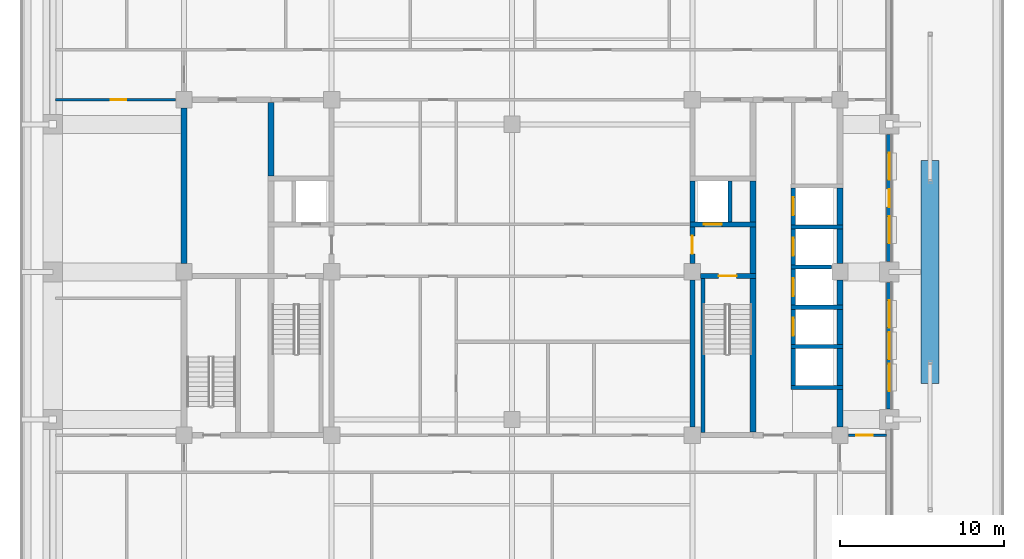
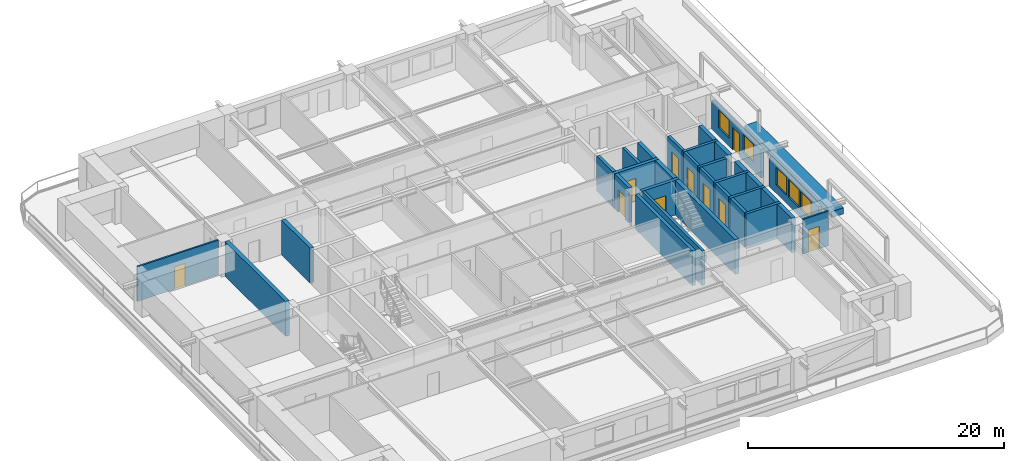
# One storey, part 7 of 17: 33 walls, 10 doors, 5 windows, 15 openings.
"""IFC4 building model written with IfcOpenShell, lengths in metres."""

from ifc_helpers import new_model, si_unit, direction, frame, frame_2d, origin, place, context, subcontext, project, spatial, rectangle, extrude, material, layer, layer_set, type_object, element, fill, save


model = new_model("IFC4")

# Units and contexts
model_context = context("Model", 3, precision=1e-05, world=origin(), true_north=direction((0.0, 1.0)))
body_context = subcontext(model_context, "Body", "Model", "MODEL_VIEW")
ifc_project = project(units=[si_unit("LENGTHUNIT", "METRE"), si_unit("AREAUNIT", "SQUARE_METRE"), si_unit("VOLUMEUNIT", "CUBIC_METRE"), si_unit("PLANEANGLEUNIT", "RADIAN"), si_unit("MASSUNIT", "GRAM", prefix="KILO")], contexts=[model_context])

# Site, building, storey
site_placement = place(None, origin())
site = spatial("IfcSite", under=ifc_project, at=site_placement, CompositionType="ELEMENT")
building_placement = place(site_placement, origin())
building = spatial("IfcBuilding", under=site, at=building_placement, Name="Zulmaris Gate Convention Tower", CompositionType="ELEMENT")
storey_placement = place(building_placement, frame((0.0, 0.0, 121.349853515625)))
storey = spatial("IfcBuildingStorey", under=building, at=storey_placement, Name="L30", CompositionType="ELEMENT", Elevation=121.349853515625)

# Walls
ifc_material_1 = material(Name="Concrete C50/60", Category="concrete")
ifc_layer_1 = layer(ifc_material_1, 0.25, Name="Concrete C50/60")
ifc_layer_set_1 = layer_set([ifc_layer_1], Name="Concrete C50/60")
wall_type_1 = type_object("IfcWallType", Name="CORE-250", PredefinedType="SOLIDWALL", material=ifc_layer_set_1)
for number, where, z_axis, x_axis, name in (
    (1, (17.02490234375, -7.050048828125, 0.0), (0.0, 0.0, 1.0), (1.0, 0.0, 0.0), "WL-L30-005"),
    (2, (17.02490234375, -4.550048828125, 0.0), (0.0, 0.0, 1.0), (1.0, 0.0, 0.0), "WL-L30-006"),
    (3, (17.02490234375, -2.14990234375, 0.0), (0.0, 0.0, 1.0), (1.0, 0.0, 0.0), "WL-L30-007"),
):
    element("IfcWall", number, at=place(storey_placement, frame(where, z_axis=z_axis, x_axis=x_axis)), inside=storey, type_object=wall_type_1, Name=name, PredefinedType="SOLIDWALL", context=body_context, shape_type="SweptSolid", body=[
        extrude(rectangle(XDim=3.150146484375, YDim=0.25, at=frame_2d((1.5751953125, 0.0))), origin(), (0.0, 0.0, 1.0), 3.320068359375),
    ])
wall_1_placement = place(storey_placement, frame((17.02490234375, 0.300048828125, 0.0), z_axis=(0.0, 0.0, 1.0), x_axis=(1.0, 0.0, 0.0)))
element("IfcWall", 4, at=wall_1_placement, inside=storey, type_object=wall_type_1, Name="WL-L30-010", PredefinedType="SOLIDWALL", context=body_context, shape_type="SweptSolid", body=[
    extrude(rectangle(XDim=2.47119140625, YDim=0.25, at=frame_2d((1.235595703125, 0.0))), origin(), (0.0, 0.0, 1.0), 3.320068359375),
])
wall_2_placement = place(storey_placement, frame((17.02490234375, 2.75, 0.0), z_axis=(0.0, 0.0, 1.0), x_axis=(1.0, 0.0, 0.0)))
element("IfcWall", 5, at=wall_2_placement, inside=storey, type_object=wall_type_1, Name="WL-L30-011", PredefinedType="SOLIDWALL", context=body_context, shape_type="SweptSolid", body=[
    extrude(rectangle(XDim=3.150146484375, YDim=0.25, at=frame_2d((1.5751953125, 0.0))), origin(), (0.0, 0.0, 1.0), 3.320068359375),
])
wall_3_placement = place(storey_placement, frame((11.64990234375, -9.798095703125, 0.0), z_axis=(0.0, 0.0, 1.0), x_axis=(0.0, 1.0, 0.0)))
element("IfcWall", 6, at=wall_3_placement, inside=storey, type_object=wall_type_1, Name="WL-L30-050", PredefinedType="SOLIDWALL", context=body_context, shape_type="SweptSolid", body=[
    extrude(rectangle(XDim=9.39599609375, YDim=0.25, at=frame_2d((4.697998046875, 0.0))), origin(), (0.0, 0.0, 1.0), 3.320068359375),
])
wall_4_placement = place(storey_placement, frame((13.300048828125, 3.052001953125, 0.0), z_axis=(0.0, 0.0, 1.0), x_axis=(0.0, 1.0, 0.0)))
element("IfcWall", 7, at=wall_4_placement, inside=storey, type_object=wall_type_1, Name="WL-L30-051", PredefinedType="SOLIDWALL", context=body_context, shape_type="SweptSolid", body=[
    extrude(rectangle(XDim=2.49609375, YDim=0.25, at=frame_2d((1.248046875, 0.0))), origin(), (0.0, 0.0, 1.0), 3.320068359375),
])
wall_5_placement = place(storey_placement, frame((17.14990234375, -6.923095703125, 0.0), z_axis=(0.0, 0.0, 1.0), x_axis=(0.0, 1.0, 0.0)))
element("IfcWall", 8, at=wall_5_placement, inside=storey, type_object=wall_type_1, Name="WL-L30-056", PredefinedType="SOLIDWALL", context=body_context, shape_type="SweptSolid", body=[
    extrude(rectangle(XDim=2.24609375, YDim=0.25, at=frame_2d((1.123046875, 0.0))), origin(), (0.0, 0.0, 1.0), 3.320068359375),
])

# Wall, opening, door
wall_6_placement = place(storey_placement, frame((17.14990234375, -4.423095703125, 0.0), z_axis=(0.0, 0.0, 1.0), x_axis=(0.0, 1.0, 0.0)))
wall_6 = element("IfcWall", 9, at=wall_6_placement, inside=storey, type_object=wall_type_1, Name="WL-L30-057", PredefinedType="SOLIDWALL", context=body_context, shape_type="SweptSolid", body=[
    extrude(rectangle(XDim=2.14599609375, YDim=0.25, at=frame_2d((1.072998046875, 0.0))), origin(), (0.0, 0.0, 1.0), 3.320068359375),
])
opening_1_placement = place(wall_6_placement, frame((0.52294921875, 0.0, 0.0)))
opening_1 = element("IfcOpeningElement", 10, at=opening_1_placement, cuts=wall_6, Name="Opening D-06", PredefinedType="OPENING", context=body_context, shape_type="SweptSolid", body=[
    extrude(rectangle(XDim=1.10009765625, YDim=2.199951171875, at=frame_2d((0.550048828125, 1.10009765625))), frame((0.0, 0.135009765625, 0.0), z_axis=(0.0, -1.0, 0.0), x_axis=(1.0, 0.0, 0.0)), (0.0, 0.0, 1.0), 0.27001953125),
])
ifc_material_2 = material(Name="Brushed Stainless Steel", Category="steel")
door_type_1 = type_object("IfcDoorType", Name="LD-1100", OperationType="NOTDEFINED", PredefinedType="DOOR", material=ifc_material_2)
door_1_placement = place(opening_1_placement, origin())
door_1 = element("IfcDoor", 11, at=door_1_placement, inside=storey, type_object=door_type_1, Name="L30 Lift Landing Door MP-01 11", OperationType="SLIDING_TO_RIGHT", OverallHeight=2.199951171875, OverallWidth=1.10009765625, PredefinedType="DOOR", context=body_context, shape_type="SweptSolid", body=[
    extrude(rectangle(XDim=1.10009765625, YDim=2.199951171875, at=frame_2d((0.550048828125, 1.10009765625))), frame((0.0, 0.02490234375, 0.0), z_axis=(0.0, -1.0, 0.0), x_axis=(1.0, 0.0, 0.0)), (0.0, 0.0, 1.0), 0.050048828125),
])
fill(opening_1, door_1)

wall_7_placement = place(storey_placement, frame((17.14990234375, -2.02294921875, 0.0), z_axis=(0.0, 0.0, 1.0), x_axis=(0.0, 1.0, 0.0)))
wall_7 = element("IfcWall", 12, at=wall_7_placement, inside=storey, type_object=wall_type_1, Name="WL-L30-058", PredefinedType="SOLIDWALL", context=body_context, shape_type="SweptSolid", body=[
    extrude(rectangle(XDim=2.196044921875, YDim=0.25, at=frame_2d((1.09814453125, 0.0))), origin(), (0.0, 0.0, 1.0), 3.320068359375),
])
opening_2_placement = place(wall_7_placement, frame((0.548095703125, 0.0, 0.0)))
opening_2 = element("IfcOpeningElement", 13, at=opening_2_placement, cuts=wall_7, Name="Opening D-06", PredefinedType="OPENING", context=body_context, shape_type="SweptSolid", body=[
    extrude(rectangle(XDim=1.10009765625, YDim=2.199951171875, at=frame_2d((0.550048828125, 1.10009765625))), frame((0.0, 0.135009765625, 0.0), z_axis=(0.0, -1.0, 0.0), x_axis=(1.0, 0.0, 0.0)), (0.0, 0.0, 1.0), 0.27001953125),
])
door_2_placement = place(opening_2_placement, origin())
door_2 = element("IfcDoor", 14, at=door_2_placement, inside=storey, type_object=door_type_1, Name="L30 Lift Landing Door MP-02 12", OperationType="SLIDING_TO_RIGHT", OverallHeight=2.199951171875, OverallWidth=1.10009765625, PredefinedType="DOOR", context=body_context, shape_type="SweptSolid", body=[
    extrude(rectangle(XDim=1.10009765625, YDim=2.199951171875, at=frame_2d((0.550048828125, 1.10009765625))), frame((0.0, 0.02490234375, 0.0), z_axis=(0.0, -1.0, 0.0), x_axis=(1.0, 0.0, 0.0)), (0.0, 0.0, 1.0), 0.050048828125),
])
fill(opening_2, door_2)

wall_8_placement = place(storey_placement, frame((17.14990234375, 0.427001953125, 0.0), z_axis=(0.0, 0.0, 1.0), x_axis=(0.0, 1.0, 0.0)))
wall_8 = element("IfcWall", 15, at=wall_8_placement, inside=storey, type_object=wall_type_1, Name="WL-L30-059", PredefinedType="SOLIDWALL", context=body_context, shape_type="SweptSolid", body=[
    extrude(rectangle(XDim=2.196044921875, YDim=0.25, at=frame_2d((1.09814453125, 0.0))), origin(), (0.0, 0.0, 1.0), 3.320068359375),
])
opening_3_placement = place(wall_8_placement, frame((0.548095703125, 0.0, 0.0)))
opening_3 = element("IfcOpeningElement", 16, at=opening_3_placement, cuts=wall_8, Name="Opening D-06", PredefinedType="OPENING", context=body_context, shape_type="SweptSolid", body=[
    extrude(rectangle(XDim=1.10009765625, YDim=2.199951171875, at=frame_2d((0.550048828125, 1.10009765625))), frame((0.0, 0.135009765625, 0.0), z_axis=(0.0, -1.0, 0.0), x_axis=(1.0, 0.0, 0.0)), (0.0, 0.0, 1.0), 0.27001953125),
])
door_3_placement = place(opening_3_placement, origin())
door_3 = element("IfcDoor", 17, at=door_3_placement, inside=storey, type_object=door_type_1, Name="L30 Lift Landing Door MP-03 13", OperationType="SLIDING_TO_RIGHT", OverallHeight=2.199951171875, OverallWidth=1.10009765625, PredefinedType="DOOR", context=body_context, shape_type="SweptSolid", body=[
    extrude(rectangle(XDim=1.10009765625, YDim=2.199951171875, at=frame_2d((0.550048828125, 1.10009765625))), frame((0.0, 0.02490234375, 0.0), z_axis=(0.0, -1.0, 0.0), x_axis=(1.0, 0.0, 0.0)), (0.0, 0.0, 1.0), 0.050048828125),
])
fill(opening_3, door_3)

wall_9_placement = place(storey_placement, frame((17.14990234375, 2.876953125, 0.0), z_axis=(0.0, 0.0, 1.0), x_axis=(0.0, 1.0, 0.0)))
wall_9 = element("IfcWall", 18, at=wall_9_placement, inside=storey, type_object=wall_type_1, Name="WL-L30-060", PredefinedType="SOLIDWALL", context=body_context, shape_type="SweptSolid", body=[
    extrude(rectangle(XDim=2.24609375, YDim=0.25, at=frame_2d((1.123046875, 0.0))), origin(), (0.0, 0.0, 1.0), 3.320068359375),
])
opening_4_placement = place(wall_9_placement, frame((0.572998046875, 0.0, 0.0)))
opening_4 = element("IfcOpeningElement", 19, at=opening_4_placement, cuts=wall_9, Name="Opening D-06", PredefinedType="OPENING", context=body_context, shape_type="SweptSolid", body=[
    extrude(rectangle(XDim=1.10009765625, YDim=2.199951171875, at=frame_2d((0.550048828125, 1.10009765625))), frame((0.0, 0.135009765625, 0.0), z_axis=(0.0, -1.0, 0.0), x_axis=(1.0, 0.0, 0.0)), (0.0, 0.0, 1.0), 0.27001953125),
])
door_4_placement = place(opening_4_placement, origin())
door_4 = element("IfcDoor", 20, at=door_4_placement, inside=storey, type_object=door_type_1, Name="L30 Lift Landing Door MP-04 14", OperationType="SLIDING_TO_RIGHT", OverallHeight=2.199951171875, OverallWidth=1.10009765625, PredefinedType="DOOR", context=body_context, shape_type="SweptSolid", body=[
    extrude(rectangle(XDim=1.10009765625, YDim=2.199951171875, at=frame_2d((0.550048828125, 1.10009765625))), frame((0.0, 0.02490234375, 0.0), z_axis=(0.0, -1.0, 0.0), x_axis=(1.0, 0.0, 0.0)), (0.0, 0.0, 1.0), 0.050048828125),
])
fill(opening_4, door_4)

ifc_layer_2 = layer(ifc_material_1, 0.300048828125, Name="Concrete C50/60")
ifc_layer_set_2 = layer_set([ifc_layer_2], Name="Concrete C50/60")
wall_type_2 = type_object("IfcWallType", Name="CORE-300", PredefinedType="SHEAR", material=ifc_layer_set_2)
wall_10_placement = place(storey_placement, frame((11.50390625, -0.25, 0.0), z_axis=(0.0, 0.0, 1.0), x_axis=(1.0, 0.0, 0.0)))
wall_10 = element("IfcWall", 21, at=wall_10_placement, inside=storey, type_object=wall_type_2, Name="WL-L30-009", PredefinedType="SHEAR", context=body_context, shape_type="SweptSolid", body=[
    extrude(rectangle(XDim=3.37109375, YDim=0.300048828125, at=frame_2d((1.685546875, 0.0))), origin(), (0.0, 0.0, 1.0), 3.320068359375),
])
opening_5_placement = place(wall_10_placement, frame((1.095947265625, 0.0, 0.0)))
opening_5 = element("IfcOpeningElement", 22, at=opening_5_placement, cuts=wall_10, Name="Opening D-08", PredefinedType="OPENING", context=body_context, shape_type="SweptSolid", body=[
    extrude(rectangle(XDim=1.10009765625, YDim=2.14990234375, at=frame_2d((0.550048828125, 1.074951171875))), frame((0.0, 0.16015625, 0.0), z_axis=(0.0, -1.0, 0.0), x_axis=(1.0, 0.0, 0.0)), (0.0, 0.0, 1.0), 0.320068359375),
])
ifc_material_3 = material(Name="Fire-Rated Steel", Category="steel")
door_type_2 = type_object("IfcDoorType", Name="DR-1100-FD", OperationType="NOTDEFINED", PredefinedType="DOOR", material=ifc_material_3)
door_5_placement = place(opening_5_placement, origin())
door_5 = element("IfcDoor", 23, at=door_5_placement, inside=storey, type_object=door_type_2, Name="L30 Exit Stair ST-2 Door 04", OperationType="SINGLE_SWING_LEFT", OverallHeight=2.14990234375, OverallWidth=1.10009765625, PredefinedType="DOOR", context=body_context, shape_type="SweptSolid", body=[
    extrude(rectangle(XDim=1.10009765625, YDim=2.14990234375, at=frame_2d((0.550048828125, 1.074951171875))), frame((0.0, 0.02490234375, 0.0), z_axis=(0.0, -1.0, 0.0), x_axis=(1.0, 0.0, 0.0)), (0.0, 0.0, 1.0), 0.050048828125),
])
fill(opening_5, door_5)

wall_11_placement = place(storey_placement, frame((10.85009765625, 2.89990234375, 0.0), z_axis=(0.0, 0.0, 1.0), x_axis=(1.0, 0.0, 0.0)))
wall_11 = element("IfcWall", 24, at=wall_11_placement, inside=storey, type_object=wall_type_2, Name="WL-L30-013", PredefinedType="SHEAR", context=body_context, shape_type="SweptSolid", body=[
    extrude(rectangle(XDim=4.02490234375, YDim=0.300048828125, at=frame_2d((2.012451171875, 0.0))), origin(), (0.0, 0.0, 1.0), 3.320068359375),
])
opening_6_placement = place(wall_11_placement, frame((0.85009765625, 0.0, 0.0)))
opening_6 = element("IfcOpeningElement", 25, at=opening_6_placement, cuts=wall_11, Name="Opening D-06", PredefinedType="OPENING", context=body_context, shape_type="SweptSolid", body=[
    extrude(rectangle(XDim=1.10009765625, YDim=2.199951171875, at=frame_2d((0.550048828125, 1.10009765625))), frame((0.0, 0.16015625, 0.0), z_axis=(0.0, -1.0, 0.0), x_axis=(1.0, 0.0, 0.0)), (0.0, 0.0, 1.0), 0.320068359375),
])
door_6_placement = place(opening_6_placement, origin())
door_6 = element("IfcDoor", 26, at=door_6_placement, inside=storey, type_object=door_type_1, Name="L30 Lift Landing Door LF-02 06", OperationType="SLIDING_TO_RIGHT", OverallHeight=2.199951171875, OverallWidth=1.10009765625, PredefinedType="DOOR", context=body_context, shape_type="SweptSolid", body=[
    extrude(rectangle(XDim=1.10009765625, YDim=2.199951171875, at=frame_2d((0.550048828125, 1.10009765625))), frame((0.0, 0.02490234375, 0.0), z_axis=(0.0, -1.0, 0.0), x_axis=(1.0, 0.0, 0.0)), (0.0, 0.0, 1.0), 0.050048828125),
])
fill(opening_6, door_6)

# Wall
wall_12_placement = place(storey_placement, frame((11.0, -9.446044921875, 0.0), z_axis=(0.0, 0.0, 1.0), x_axis=(0.0, 1.0, 0.0)))
element("IfcWall", 27, at=wall_12_placement, inside=storey, type_object=wall_type_2, Name="WL-L30-046", PredefinedType="SHEAR", context=body_context, shape_type="SweptSolid", body=[
    extrude(rectangle(XDim=8.942138671875, YDim=0.300048828125, at=frame_2d((4.47119140625, 0.0))), origin(), (0.0, 0.0, 1.0), 3.320068359375),
])

# Wall, opening, door
wall_13_placement = place(storey_placement, frame((11.0, 0.50390625, 0.0), z_axis=(0.0, 0.0, 1.0), x_axis=(0.0, 1.0, 0.0)))
wall_13 = element("IfcWall", 28, at=wall_13_placement, inside=storey, type_object=wall_type_2, Name="WL-L30-047", PredefinedType="SHEAR", context=body_context, shape_type="SweptSolid", body=[
    extrude(rectangle(XDim=2.244140625, YDim=0.300048828125, at=frame_2d((1.1220703125, 0.0))), origin(), (0.0, 0.0, 1.0), 3.320068359375),
])
opening_7_placement = place(wall_13_placement, frame((0.595947265625, 0.0, 0.0)))
opening_7 = element("IfcOpeningElement", 29, at=opening_7_placement, cuts=wall_13, Name="Opening D-08", PredefinedType="OPENING", context=body_context, shape_type="SweptSolid", body=[
    extrude(rectangle(XDim=1.10009765625, YDim=2.14990234375, at=frame_2d((0.550048828125, 1.074951171875))), frame((0.0, 0.16015625, 0.0), z_axis=(0.0, -1.0, 0.0), x_axis=(1.0, 0.0, 0.0)), (0.0, 0.0, 1.0), 0.320068359375),
])
door_7_placement = place(opening_7_placement, origin())
door_7 = element("IfcDoor", 30, at=door_7_placement, inside=storey, type_object=door_type_2, Name="L30 East Firefighting Lobby Door 05", OperationType="SINGLE_SWING_RIGHT", OverallHeight=2.14990234375, OverallWidth=1.10009765625, PredefinedType="DOOR", context=body_context, shape_type="SweptSolid", body=[
    extrude(rectangle(XDim=1.10009765625, YDim=2.14990234375, at=frame_2d((0.550048828125, 1.074951171875))), frame((0.0, 0.02490234375, 0.0), z_axis=(0.0, -1.0, 0.0), x_axis=(1.0, 0.0, 0.0)), (0.0, 0.0, 1.0), 0.050048828125),
])
fill(opening_7, door_7)

# Walls
wall_14_placement = place(storey_placement, frame((11.0, 3.052001953125, 0.0), z_axis=(0.0, 0.0, 1.0), x_axis=(0.0, 1.0, 0.0)))
element("IfcWall", 31, at=wall_14_placement, inside=storey, type_object=wall_type_2, Name="WL-L30-048", PredefinedType="SHEAR", context=body_context, shape_type="SweptSolid", body=[
    extrude(rectangle(XDim=2.49609375, YDim=0.300048828125, at=frame_2d((1.248046875, 0.0))), origin(), (0.0, 0.0, 1.0), 3.320068359375),
])
ifc_material_4 = material(Name="Concrete C55/67", Category="concrete")
ifc_layer_3 = layer(ifc_material_4, 0.35009765625, Name="Concrete C55/67")
ifc_layer_set_3 = layer_set([ifc_layer_3], Name="Concrete C55/67")
wall_type_3 = type_object("IfcWallType", Name="CORE-350", PredefinedType="SHEAR", material=ifc_layer_set_3)
wall_15_placement = place(storey_placement, frame((-20.0, 0.50390625, 0.0), z_axis=(0.0, 0.0, 1.0), x_axis=(0.0, 1.0, 0.0)))
element("IfcWall", 32, at=wall_15_placement, inside=storey, type_object=wall_type_3, Name="WL-L30-034", PredefinedType="SHEAR", context=body_context, shape_type="SweptSolid", body=[
    extrude(rectangle(XDim=9.4921875, YDim=0.35009765625, at=frame_2d((4.74609375, 0.0))), origin(), (0.0, 0.0, 1.0), 3.320068359375),
])
wall_16_placement = place(storey_placement, frame((-14.699951171875, 5.85205078125, 0.0), z_axis=(0.0, 0.0, 1.0), x_axis=(0.0, 1.0, 0.0)))
element("IfcWall", 33, at=wall_16_placement, inside=storey, type_object=wall_type_3, Name="WL-L30-039", PredefinedType="SHEAR", context=body_context, shape_type="SweptSolid", body=[
    extrude(rectangle(XDim=4.470947265625, YDim=0.35009765625, at=frame_2d((2.2353515625, 0.0))), origin(), (0.0, 0.0, 1.0), 3.320068359375),
])
wall_17_placement = place(storey_placement, frame((14.699951171875, -9.77294921875, 0.0), z_axis=(0.0, 0.0, 1.0), x_axis=(0.0, 1.0, 0.0)))
element("IfcWall", 34, at=wall_17_placement, inside=storey, type_object=wall_type_3, Name="WL-L30-052", PredefinedType="SHEAR", context=body_context, shape_type="SweptSolid", body=[
    extrude(rectangle(XDim=9.370849609375, YDim=0.35009765625, at=frame_2d((4.685546875, 0.0))), origin(), (0.0, 0.0, 1.0), 3.320068359375),
])
wall_18_placement = place(storey_placement, frame((14.699951171875, -0.097900390625, 0.0), z_axis=(0.0, 0.0, 1.0), x_axis=(0.0, 1.0, 0.0)))
element("IfcWall", 35, at=wall_18_placement, inside=storey, type_object=wall_type_3, Name="WL-L30-053", PredefinedType="SHEAR", context=body_context, shape_type="SweptSolid", body=[
    extrude(rectangle(XDim=2.845947265625, YDim=0.35009765625, at=frame_2d((1.4228515625, 0.0))), origin(), (0.0, 0.0, 1.0), 3.320068359375),
])
wall_19_placement = place(storey_placement, frame((14.699951171875, 3.052001953125, 0.0), z_axis=(0.0, 0.0, 1.0), x_axis=(0.0, 1.0, 0.0)))
element("IfcWall", 36, at=wall_19_placement, inside=storey, type_object=wall_type_3, Name="WL-L30-054", PredefinedType="SHEAR", context=body_context, shape_type="SweptSolid", body=[
    extrude(rectangle(XDim=2.49609375, YDim=0.35009765625, at=frame_2d((1.248046875, 0.0))), origin(), (0.0, 0.0, 1.0), 3.320068359375),
])
wall_20_placement = place(storey_placement, frame((20.0, -9.446044921875, 0.0), z_axis=(0.0, 0.0, 1.0), x_axis=(0.0, 1.0, 0.0)))
element("IfcWall", 37, at=wall_20_placement, inside=storey, type_object=wall_type_3, Name="WL-L30-061", PredefinedType="SHEAR", context=body_context, shape_type="SweptSolid", body=[
    extrude(rectangle(XDim=2.26904296875, YDim=0.35009765625, at=frame_2d((1.134521484375, 0.0))), origin(), (0.0, 0.0, 1.0), 3.320068359375),
])
wall_21_placement = place(storey_placement, frame((20.0, -6.923095703125, 0.0), z_axis=(0.0, 0.0, 1.0), x_axis=(0.0, 1.0, 0.0)))
element("IfcWall", 38, at=wall_21_placement, inside=storey, type_object=wall_type_3, Name="WL-L30-062", PredefinedType="SHEAR", context=body_context, shape_type="SweptSolid", body=[
    extrude(rectangle(XDim=2.24609375, YDim=0.35009765625, at=frame_2d((1.123046875, 0.0))), origin(), (0.0, 0.0, 1.0), 3.320068359375),
])
wall_22_placement = place(storey_placement, frame((20.0, -4.423095703125, 0.0), z_axis=(0.0, 0.0, 1.0), x_axis=(0.0, 1.0, 0.0)))
element("IfcWall", 39, at=wall_22_placement, inside=storey, type_object=wall_type_3, Name="WL-L30-063", PredefinedType="SHEAR", context=body_context, shape_type="SweptSolid", body=[
    extrude(rectangle(XDim=2.14599609375, YDim=0.35009765625, at=frame_2d((1.072998046875, 0.0))), origin(), (0.0, 0.0, 1.0), 3.320068359375),
])
wall_23_placement = place(storey_placement, frame((20.0, -2.02294921875, 0.0), z_axis=(0.0, 0.0, 1.0), x_axis=(0.0, 1.0, 0.0)))
element("IfcWall", 40, at=wall_23_placement, inside=storey, type_object=wall_type_3, Name="WL-L30-064", PredefinedType="SHEAR", context=body_context, shape_type="SweptSolid", body=[
    extrude(rectangle(XDim=1.51904296875, YDim=0.35009765625, at=frame_2d((0.759521484375, 0.0))), origin(), (0.0, 0.0, 1.0), 3.320068359375),
])
wall_24_placement = place(storey_placement, frame((20.0, 0.50390625, 0.0), z_axis=(0.0, 0.0, 1.0), x_axis=(0.0, 1.0, 0.0)))
element("IfcWall", 41, at=wall_24_placement, inside=storey, type_object=wall_type_3, Name="WL-L30-065", PredefinedType="SHEAR", context=body_context, shape_type="SweptSolid", body=[
    extrude(rectangle(XDim=2.119140625, YDim=0.35009765625, at=frame_2d((1.0595703125, 0.0))), origin(), (0.0, 0.0, 1.0), 3.320068359375),
])
wall_25_placement = place(storey_placement, frame((20.0, 2.876953125, 0.0), z_axis=(0.0, 0.0, 1.0), x_axis=(0.0, 1.0, 0.0)))
element("IfcWall", 42, at=wall_25_placement, inside=storey, type_object=wall_type_3, Name="WL-L30-066", PredefinedType="SHEAR", context=body_context, shape_type="SweptSolid", body=[
    extrude(rectangle(XDim=2.24609375, YDim=0.35009765625, at=frame_2d((1.123046875, 0.0))), origin(), (0.0, 0.0, 1.0), 3.320068359375),
])

# Wall, opening, door
ifc_material_5 = material(Name="Gypsum Metal Stud Partition")
ifc_layer_4 = layer(ifc_material_5, 0.14990234375, Name="Gypsum Metal Stud Partition")
ifc_layer_set_4 = layer_set([ifc_layer_4], Name="Gypsum Metal Stud Partition")
wall_type_4 = type_object("IfcWallType", Name="PART-150", PredefinedType="PARTITIONING", material=ifc_layer_set_4)
wall_26_placement = place(storey_placement, frame((20.506103515625, -9.949951171875, 0.0), z_axis=(0.0, 0.0, 1.0), x_axis=(1.0, 0.0, 0.0)))
wall_26 = element("IfcWall", 43, at=wall_26_placement, inside=storey, type_object=wall_type_4, Name="WL-L30-024", PredefinedType="PARTITIONING", context=body_context, shape_type="SweptSolid", body=[
    extrude(rectangle(XDim=2.328857421875, YDim=0.14990234375, at=frame_2d((1.16455078125, 0.0))), origin(), (0.0, 0.0, 1.0), 3.320068359375),
])
opening_8_placement = place(wall_26_placement, frame((0.493896484375, 0.0, 0.0)))
opening_8 = element("IfcOpeningElement", 44, at=opening_8_placement, cuts=wall_26, Name="Opening D-10", PredefinedType="OPENING", context=body_context, shape_type="SweptSolid", body=[
    extrude(rectangle(XDim=1.0, YDim=2.14990234375, at=frame_2d((0.5, 1.074951171875))), frame((0.0, 0.0849609375, 0.0), z_axis=(0.0, -1.0, 0.0), x_axis=(1.0, 0.0, 0.0)), (0.0, 0.0, 1.0), 0.169921875),
])
ifc_material_6 = material(Name="Fire-Rated Timber", Category="wood")
door_type_3 = type_object("IfcDoorType", Name="DR-1000-FD", OperationType="NOTDEFINED", PredefinedType="DOOR", material=ifc_material_6)
door_8_placement = place(opening_8_placement, origin())
door_8 = element("IfcDoor", 45, at=door_8_placement, inside=storey, type_object=door_type_3, Name="L30 East Workplace South Door 44", OperationType="SINGLE_SWING_RIGHT", OverallHeight=2.14990234375, OverallWidth=1.0, PredefinedType="DOOR", context=body_context, shape_type="SweptSolid", body=[
    extrude(rectangle(XDim=1.0, YDim=2.14990234375, at=frame_2d((0.5, 1.074951171875))), frame((0.0, 0.02490234375, 0.0), z_axis=(0.0, -1.0, 0.0), x_axis=(1.0, 0.0, 0.0)), (0.0, 0.0, 1.0), 0.050048828125),
])
fill(opening_8, door_8)

wall_27_placement = place(storey_placement, frame((-27.8349609375, 10.5, 0.0), z_axis=(0.0, 0.0, 1.0), x_axis=(1.0, 0.0, 0.0)))
wall_27 = element("IfcWall", 46, at=wall_27_placement, inside=storey, type_object=wall_type_4, Name="WL-L30-029", PredefinedType="PARTITIONING", context=body_context, shape_type="SweptSolid", body=[
    extrude(rectangle(XDim=7.328857421875, YDim=0.14990234375, at=frame_2d((3.66455078125, 0.0))), origin(), (0.0, 0.0, 1.0), 3.320068359375),
])
opening_9_placement = place(wall_27_placement, frame((3.360107421875, 0.0, 0.0)))
opening_9 = element("IfcOpeningElement", 47, at=opening_9_placement, cuts=wall_27, Name="Opening D-11", PredefinedType="OPENING", context=body_context, shape_type="SweptSolid", body=[
    extrude(rectangle(XDim=0.949951171875, YDim=2.14990234375, at=frame_2d((0.47509765625, 1.074951171875))), frame((0.0, 0.0849609375, 0.0), z_axis=(0.0, -1.0, 0.0), x_axis=(1.0, 0.0, 0.0)), (0.0, 0.0, 1.0), 0.169921875),
])
door_type_4 = type_object("IfcDoorType", Name="DR-950-FD", OperationType="NOTDEFINED", PredefinedType="DOOR", material=ifc_material_6)
door_9_placement = place(opening_9_placement, origin())
door_9 = element("IfcDoor", 48, at=door_9_placement, inside=storey, type_object=door_type_4, Name="L30 NW Partner Door 39", OperationType="SINGLE_SWING_LEFT", OverallHeight=2.14990234375, OverallWidth=0.949951171875, PredefinedType="DOOR", context=body_context, shape_type="SweptSolid", body=[
    extrude(rectangle(XDim=0.949951171875, YDim=2.14990234375, at=frame_2d((0.47509765625, 1.074951171875))), frame((0.0, 0.02490234375, 0.0), z_axis=(0.0, -1.0, 0.0), x_axis=(1.0, 0.0, 0.0)), (0.0, 0.0, 1.0), 0.050048828125),
])
fill(opening_9, door_9)

# Wall
ifc_material_7 = material(Name="Botanical Green Glazed Precast Concrete C40/50", Category="concrete")
ifc_layer_5 = layer(ifc_material_7, 0.419921875, Name="Botanical Green Glazed Precast Concrete C40/50")
ifc_layer_set_5 = layer_set([ifc_layer_5], Name="Botanical Green Glazed Precast Concrete C40/50")
wall_type_5 = type_object("IfcWallType", Name="PLANTER-CURB-200", PredefinedType="PARAPET", material=ifc_layer_set_5)
wall_28_placement = place(storey_placement, frame((25.5, -6.800048828125, -0.0400390625), z_axis=(0.0, 0.0, 1.0), x_axis=(0.0, 1.0, 0.0)))
element("IfcWall", 49, at=wall_28_placement, inside=storey, type_object=wall_type_5, Name="L30 Block-End Terrace Tree Planter Bed", PredefinedType="PARAPET", context=body_context, shape_type="SweptSolid", body=[
    extrude(rectangle(XDim=13.60009765625, YDim=1.10009765625, at=frame_2d((6.800048828125, 0.0))), origin(), (0.0, 0.0, 1.0), 0.60009765625),
])

# Wall, openings, windows
ifc_material_8 = material(Name="Precast concrete C40/50", Category="concrete")
ifc_layer_6 = layer(ifc_material_8, 0.300048828125, Name="Precast concrete C40/50")
ifc_layer_set_6 = layer_set([ifc_layer_6], Name="Precast concrete C40/50")
wall_type_6 = type_object("IfcWallType", Name="PRECAST-PIER-300", PredefinedType="STANDARD", material=ifc_layer_set_6)
wall_29_placement = place(storey_placement, frame((23.0, -8.3701171875, 0.0), z_axis=(0.0, 0.0, 1.0), x_axis=(0.0, 1.0, 0.0)))
wall_29 = element("IfcWall", 50, at=wall_29_placement, inside=storey, type_object=wall_type_6, Name="EW-L30-E-1_0", PredefinedType="STANDARD", context=body_context, shape_type="SweptSolid", body=[
    extrude(rectangle(XDim=7.740234375, YDim=0.300048828125, at=frame_2d((3.8701171875, 0.0))), origin(), (0.0, 0.0, 1.0), 2.712158203125),
])
opening_10_placement = place(wall_29_placement, frame((1.110107421875, 0.0, 0.800048828125)))
opening_10 = element("IfcOpeningElement", 51, at=opening_10_placement, cuts=wall_29, Name="Opening W-08", PredefinedType="OPENING", context=body_context, shape_type="SweptSolid", body=[
    extrude(rectangle(XDim=1.64990234375, YDim=1.699951171875, at=frame_2d((0.824951171875, 0.85009765625))), frame((0.0, 0.16015625, 0.0), z_axis=(0.0, -1.0, 0.0), x_axis=(1.0, 0.0, 0.0)), (0.0, 0.0, 1.0), 0.320068359375),
])
opening_11_placement = place(wall_29_placement, frame((3.044921875, 0.0, 0.800048828125)))
opening_11 = element("IfcOpeningElement", 52, at=opening_11_placement, cuts=wall_29, Name="Opening W-08", PredefinedType="OPENING", context=body_context, shape_type="SweptSolid", body=[
    extrude(rectangle(XDim=1.64990234375, YDim=1.699951171875, at=frame_2d((0.824951171875, 0.85009765625))), frame((0.0, 0.16015625, 0.0), z_axis=(0.0, -1.0, 0.0), x_axis=(1.0, 0.0, 0.0)), (0.0, 0.0, 1.0), 0.320068359375),
])
opening_12_placement = place(wall_29_placement, frame((4.97998046875, 0.0, 0.800048828125)))
opening_12 = element("IfcOpeningElement", 53, at=opening_12_placement, cuts=wall_29, Name="Opening W-08", PredefinedType="OPENING", context=body_context, shape_type="SweptSolid", body=[
    extrude(rectangle(XDim=1.64990234375, YDim=1.699951171875, at=frame_2d((0.824951171875, 0.85009765625))), frame((0.0, 0.16015625, 0.0), z_axis=(0.0, -1.0, 0.0), x_axis=(1.0, 0.0, 0.0)), (0.0, 0.0, 1.0), 0.320068359375),
])
ifc_material_9 = material(Name="Low-E Laminated Double Glazing in Aluminium Frame", Category="aluminium")
window_type = type_object("IfcWindowType", Name="WIN-1650x2150", PartitioningType="SINGLE_PANEL", PredefinedType="WINDOW", material=ifc_material_9)
window_1_placement = place(opening_10_placement, origin())
window_1 = element("IfcWindow", 54, at=window_1_placement, inside=storey, type_object=window_type, Name="WN-EW-L30-E-1_0-1", OverallHeight=1.699951171875, OverallWidth=1.64990234375, PartitioningType="SINGLE_PANEL", PredefinedType="WINDOW", context=body_context, shape_type="SweptSolid", body=[
    extrude(rectangle(XDim=1.64990234375, YDim=1.699951171875, at=frame_2d((0.824951171875, 0.85009765625))), frame((0.0, 0.030029296875, 0.0), z_axis=(0.0, -1.0, 0.0), x_axis=(1.0, 0.0, 0.0)), (0.0, 0.0, 1.0), 0.06005859375),
])
fill(opening_10, window_1)
window_2_placement = place(opening_11_placement, origin())
window_2 = element("IfcWindow", 55, at=window_2_placement, inside=storey, type_object=window_type, Name="WN-EW-L30-E-1_0-2", OverallHeight=1.699951171875, OverallWidth=1.64990234375, PartitioningType="SINGLE_PANEL", PredefinedType="WINDOW", context=body_context, shape_type="SweptSolid", body=[
    extrude(rectangle(XDim=1.64990234375, YDim=1.699951171875, at=frame_2d((0.824951171875, 0.85009765625))), frame((0.0, 0.030029296875, 0.0), z_axis=(0.0, -1.0, 0.0), x_axis=(1.0, 0.0, 0.0)), (0.0, 0.0, 1.0), 0.06005859375),
])
fill(opening_11, window_2)
window_3_placement = place(opening_12_placement, origin())
window_3 = element("IfcWindow", 56, at=window_3_placement, inside=storey, type_object=window_type, Name="WN-EW-L30-E-1_0-3", OverallHeight=1.699951171875, OverallWidth=1.64990234375, PartitioningType="SINGLE_PANEL", PredefinedType="WINDOW", context=body_context, shape_type="SweptSolid", body=[
    extrude(rectangle(XDim=1.64990234375, YDim=1.699951171875, at=frame_2d((0.824951171875, 0.85009765625))), frame((0.0, 0.030029296875, 0.0), z_axis=(0.0, -1.0, 0.0), x_axis=(1.0, 0.0, 0.0)), (0.0, 0.0, 1.0), 0.06005859375),
])
fill(opening_12, window_3)

# Wall, openings, door, windows
wall_30_placement = place(storey_placement, frame((23.0, 0.6298828125, 0.0), z_axis=(0.0, 0.0, 1.0), x_axis=(0.0, 1.0, 0.0)))
wall_30 = element("IfcWall", 57, at=wall_30_placement, inside=storey, type_object=wall_type_6, Name="EW-L30-E-2_0", PredefinedType="STANDARD", context=body_context, shape_type="SweptSolid", body=[
    extrude(rectangle(XDim=7.740234375, YDim=0.300048828125, at=frame_2d((3.8701171875, 0.0))), origin(), (0.0, 0.0, 1.0), 2.712158203125),
])
opening_13_placement = place(wall_30_placement, frame((3.320068359375, 0.0, 0.0)))
opening_13 = element("IfcOpeningElement", 58, at=opening_13_placement, cuts=wall_30, Name="Opening D-04", PredefinedType="OPENING", context=body_context, shape_type="SweptSolid", body=[
    extrude(rectangle(XDim=1.10009765625, YDim=2.14990234375, at=frame_2d((0.550048828125, 1.074951171875))), frame((0.0, 0.16015625, 0.0), z_axis=(0.0, -1.0, 0.0), x_axis=(1.0, 0.0, 0.0)), (0.0, 0.0, 1.0), 0.320068359375),
])
opening_14_placement = place(wall_30_placement, frame((1.110107421875, 0.0, 0.800048828125)))
opening_14 = element("IfcOpeningElement", 59, at=opening_14_placement, cuts=wall_30, Name="Opening W-08", PredefinedType="OPENING", context=body_context, shape_type="SweptSolid", body=[
    extrude(rectangle(XDim=1.64990234375, YDim=1.699951171875, at=frame_2d((0.824951171875, 0.85009765625))), frame((0.0, 0.16015625, 0.0), z_axis=(0.0, -1.0, 0.0), x_axis=(1.0, 0.0, 0.0)), (0.0, 0.0, 1.0), 0.320068359375),
])
opening_15_placement = place(wall_30_placement, frame((4.97998046875, 0.0, 0.800048828125)))
opening_15 = element("IfcOpeningElement", 60, at=opening_15_placement, cuts=wall_30, Name="Opening W-08", PredefinedType="OPENING", context=body_context, shape_type="SweptSolid", body=[
    extrude(rectangle(XDim=1.64990234375, YDim=1.699951171875, at=frame_2d((0.824951171875, 0.85009765625))), frame((0.0, 0.16015625, 0.0), z_axis=(0.0, -1.0, 0.0), x_axis=(1.0, 0.0, 0.0)), (0.0, 0.0, 1.0), 0.320068359375),
])
ifc_material_10 = material(Name="Anodised Aluminium and Laminated Glass", Category="aluminium")
door_type_5 = type_object("IfcDoorType", Name="ED-1100", OperationType="SINGLE_SWING_RIGHT", PredefinedType="DOOR", material=ifc_material_10)
door_10_placement = place(opening_13_placement, origin())
door_10 = element("IfcDoor", 61, at=door_10_placement, inside=storey, type_object=door_type_5, Name="L30 Block-End Planted Roof Terrace Door", OperationType="SINGLE_SWING_LEFT", OverallHeight=2.14990234375, OverallWidth=1.10009765625, PredefinedType="DOOR", context=body_context, shape_type="SweptSolid", body=[
    extrude(rectangle(XDim=1.10009765625, YDim=2.14990234375, at=frame_2d((0.550048828125, 1.074951171875))), frame((0.0, 0.02490234375, 0.0), z_axis=(0.0, -1.0, 0.0), x_axis=(1.0, 0.0, 0.0)), (0.0, 0.0, 1.0), 0.050048828125),
])
fill(opening_13, door_10)
window_4_placement = place(opening_14_placement, origin())
window_4 = element("IfcWindow", 62, at=window_4_placement, inside=storey, type_object=window_type, Name="WN-EW-L30-E-2_0-1", OverallHeight=1.699951171875, OverallWidth=1.64990234375, PartitioningType="SINGLE_PANEL", PredefinedType="WINDOW", context=body_context, shape_type="SweptSolid", body=[
    extrude(rectangle(XDim=1.64990234375, YDim=1.699951171875, at=frame_2d((0.824951171875, 0.85009765625))), frame((0.0, 0.030029296875, 0.0), z_axis=(0.0, -1.0, 0.0), x_axis=(1.0, 0.0, 0.0)), (0.0, 0.0, 1.0), 0.06005859375),
])
fill(opening_14, window_4)
window_5_placement = place(opening_15_placement, origin())
window_5 = element("IfcWindow", 63, at=window_5_placement, inside=storey, type_object=window_type, Name="WN-EW-L30-E-2_0-3", OverallHeight=1.699951171875, OverallWidth=1.64990234375, PartitioningType="SINGLE_PANEL", PredefinedType="WINDOW", context=body_context, shape_type="SweptSolid", body=[
    extrude(rectangle(XDim=1.64990234375, YDim=1.699951171875, at=frame_2d((0.824951171875, 0.85009765625))), frame((0.0, 0.030029296875, 0.0), z_axis=(0.0, -1.0, 0.0), x_axis=(1.0, 0.0, 0.0)), (0.0, 0.0, 1.0), 0.06005859375),
])
fill(opening_15, window_5)

save(model, "model.ifc")
